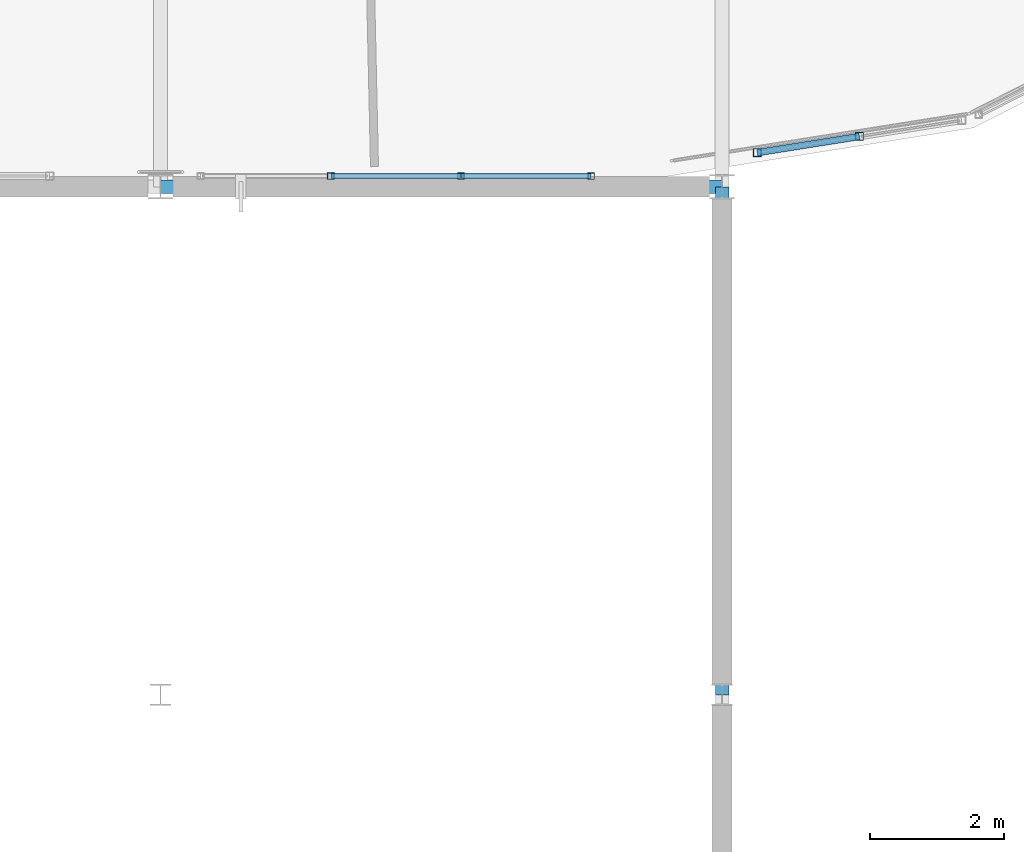
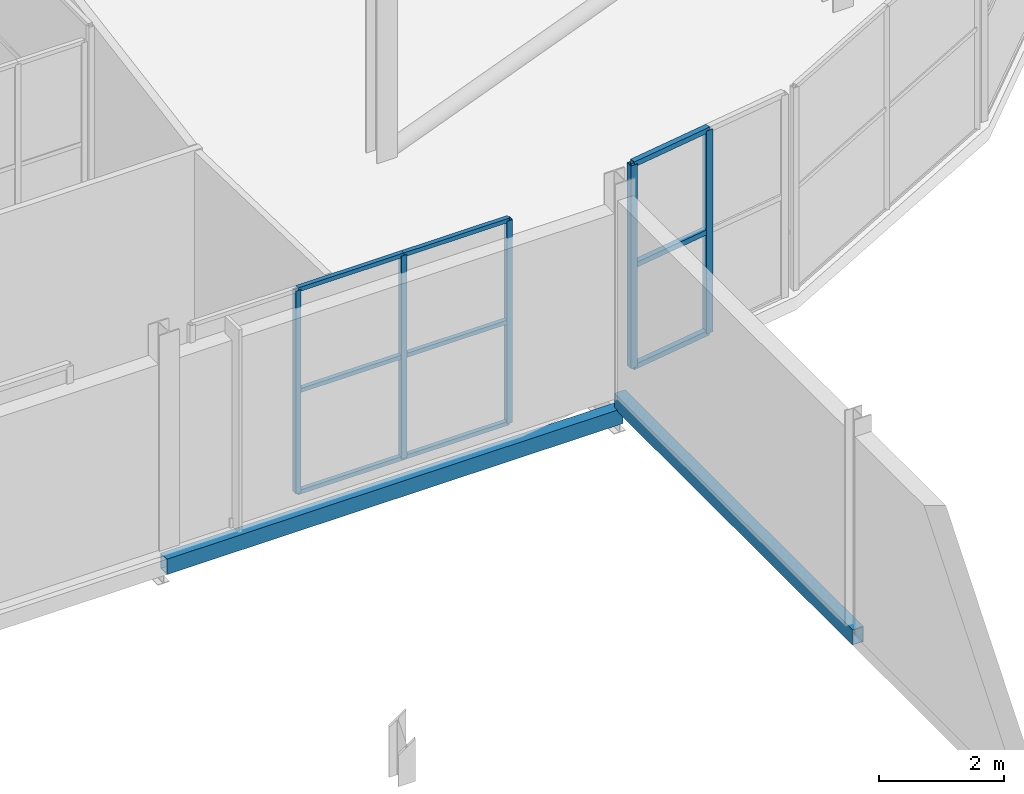
# One storey, part 139 of 217: 14 members, 2 beams, 2 elements without a shape of their own.
"""IFC4 building model written with IfcOpenShell, lengths in metres."""

from ifc_helpers import new_model, si_unit, direction, frame, origin, origin_2d, place, context, subcontext, project, spatial, hollow_rectangle, extrude, material, material_profile, profile_set, type_object, element, aggregate, save


model = new_model("IFC4")

# Units and contexts
model_context = context("Model", 3, precision=1e-05, world=origin(), true_north=direction((0.0, 1.0)))
body_context = subcontext(model_context, "Body", "Model", "MODEL_VIEW")
ifc_project = project(units=[si_unit("LENGTHUNIT", "METRE"), si_unit("AREAUNIT", "SQUARE_METRE"), si_unit("VOLUMEUNIT", "CUBIC_METRE"), si_unit("PLANEANGLEUNIT", "RADIAN"), si_unit("MASSUNIT", "GRAM", prefix="KILO")], contexts=[model_context])

# Site, building, storey
site_placement = place(None, origin())
site = spatial("IfcSite", under=ifc_project, at=site_placement, CompositionType="ELEMENT")
building_placement = place(site_placement, origin())
building = spatial("IfcBuilding", under=site, at=building_placement, Name="Zuvorla Pavilion Media Centre", CompositionType="ELEMENT")
storey_placement = place(building_placement, frame((0.0, 0.0, 9.60009765625)))
storey = spatial("IfcBuildingStorey", under=building, at=storey_placement, Name="L02", CompositionType="ELEMENT", Elevation=9.60009765625)

# Beams
ifc_material_1 = material(Name="Steel S355", Category="steel")
ifc_material_profile_1 = material_profile(ifc_material_1, hollow_rectangle(XDim=0.199951171875, YDim=0.300048828125, WallThickness=0.012451171875, at=origin_2d()), Name="RHS 300x200x12.5")
ifc_profile_set_1 = profile_set([ifc_material_profile_1], Name="Steel S355")
beam_type = type_object("IfcBeamType", Name="BM-SP-RHS300", PredefinedType="SPANDREL", material=ifc_profile_set_1)
beam_1_placement = place(storey_placement, frame((150.800048828125, 44.0, -0.418212890625), z_axis=(1.0, 0.0, 0.0), x_axis=(0.0, 1.0, 0.0)))
element("IfcBeam", 1, at=beam_1_placement, inside=storey, type_object=beam_type, Name="L02 spandrel SP01 834", PredefinedType="SPANDREL", context=body_context, shape_type="SweptSolid", body=[
    extrude(hollow_rectangle(XDim=0.199951171875, YDim=0.300048828125, WallThickness=0.012451171875, at=origin_2d()), origin(), (0.0, 0.0, 1.0), 8.39990234375),
])
beam_2_placement = place(storey_placement, frame((159.199951171875, 36.39990234375, -0.150146484375), z_axis=(0.0, 1.0, 0.0), x_axis=(-1.0, 0.0, 0.0)))
element("IfcBeam", 2, at=beam_2_placement, inside=storey, type_object=beam_type, Name="L02 spandrel SP01 1767", PredefinedType="SPANDREL", context=body_context, shape_type="SweptSolid", body=[
    extrude(hollow_rectangle(XDim=0.199951171875, YDim=0.300048828125, WallThickness=0.012451171875, at=origin_2d()), origin(), (0.0, 0.0, 1.0), 7.60009765625),
])

# Curtain wall, members
ifc_material_2 = material(Name="Unitised anodised aluminium and solar glass curtain wall", Category="aluminium")
curtain_wall_type_1 = type_object("IfcCurtainWallType", Name="CW-SYS-27", PredefinedType="USERDEFINED", material=ifc_material_2)
curtain_wall_1_placement = place(storey_placement, origin())
curtain_wall_1 = element("IfcCurtainWall", 3, at=curtain_wall_1_placement, inside=storey, type_object=curtain_wall_type_1, Name="L02 curtain wall CW27 48", ObjectType="CURTAIN WALL", PredefinedType="USERDEFINED")
ifc_material_3 = material(Name="Anodised aluminium 6063-T6", Category="aluminium")
ifc_material_profile_2 = material_profile(ifc_material_3, hollow_rectangle(XDim=0.10009765625, YDim=0.10009765625, WallThickness=0.00439453125, at=origin_2d()), Name="ALU MULL 100x100")
ifc_profile_set_2 = profile_set([ifc_material_profile_2], Name="Anodised aluminium 6063-T6")
member_type_1 = type_object("IfcMemberType", Name="CW-MULL-100", PredefinedType="MULLION", material=ifc_profile_set_2)
member_1_placement = place(storey_placement, frame((153.3466796875, 44.159912109375, 0.0), z_axis=(0.0, 0.0, 1.0), x_axis=(1.0, 0.0, 0.0)))
member_1 = element("IfcMember", 4, at=member_1_placement, type_object=member_type_1, Name="CW27 mullion 2", PredefinedType="MULLION", context=body_context, shape_type="SweptSolid", body=[
    extrude(hollow_rectangle(XDim=0.10009765625, YDim=0.10009765625, WallThickness=0.00439453125, at=origin_2d()), origin(), (0.0, 0.0, 1.0), 3.949951171875),
])
member_2_placement = place(storey_placement, frame((155.29345703125, 44.159912109375, 0.0), z_axis=(0.0, 0.0, 1.0), x_axis=(1.0, 0.0, 0.0)))
member_2 = element("IfcMember", 5, at=member_2_placement, type_object=member_type_1, Name="CW27 mullion 3", PredefinedType="MULLION", context=body_context, shape_type="SweptSolid", body=[
    extrude(hollow_rectangle(XDim=0.10009765625, YDim=0.10009765625, WallThickness=0.00439453125, at=origin_2d()), origin(), (0.0, 0.0, 1.0), 3.949951171875),
])
member_3_placement = place(storey_placement, frame((157.239990234375, 44.159912109375, 0.0), z_axis=(0.0, 0.0, 1.0), x_axis=(1.0, 0.0, 0.0)))
member_3 = element("IfcMember", 6, at=member_3_placement, type_object=member_type_1, Name="CW27 mullion 4", PredefinedType="MULLION", context=body_context, shape_type="SweptSolid", body=[
    extrude(hollow_rectangle(XDim=0.10009765625, YDim=0.10009765625, WallThickness=0.00439453125, at=origin_2d()), origin(), (0.0, 0.0, 1.0), 3.949951171875),
])

curtain_wall_type_2 = type_object("IfcCurtainWallType", Name="CW-SYS-01", PredefinedType="USERDEFINED", material=ifc_material_2)
curtain_wall_2_placement = place(storey_placement, origin())
curtain_wall_2 = element("IfcCurtainWall", 7, at=curtain_wall_2_placement, inside=storey, type_object=curtain_wall_type_2, Name="L02 curtain wall CW01 1", ObjectType="CURTAIN WALL", PredefinedType="USERDEFINED")
ifc_material_profile_3 = material_profile(ifc_material_3, hollow_rectangle(XDim=0.1201171875, YDim=0.1201171875, WallThickness=0.0048828125, at=origin_2d()), Name="ALU MULL 120x120")
ifc_profile_set_3 = profile_set([ifc_material_profile_3], Name="Anodised aluminium 6063-T6")
member_type_2 = type_object("IfcMemberType", Name="CW-MULL-120", PredefinedType="MULLION", material=ifc_profile_set_3)
member_4_placement = place(storey_placement, frame((159.726806640625, 44.51025390625, 0.0), z_axis=(0.0, 0.0, 1.0), x_axis=(1.0, 0.0, 0.0)))
member_4 = element("IfcMember", 8, at=member_4_placement, type_object=member_type_2, Name="CW01 mullion 1", PredefinedType="MULLION", context=body_context, shape_type="SweptSolid", body=[
    extrude(hollow_rectangle(XDim=0.1201171875, YDim=0.1201171875, WallThickness=0.0048828125, at=origin_2d()), origin(), (0.0, 0.0, 1.0), 3.949951171875),
])
member_5_placement = place(storey_placement, frame((161.254638671875, 44.752197265625, 0.0), z_axis=(0.0, 0.0, 1.0), x_axis=(1.0, 0.0, 0.0)))
member_5 = element("IfcMember", 9, at=member_5_placement, type_object=member_type_2, Name="CW01 mullion 2", PredefinedType="MULLION", context=body_context, shape_type="SweptSolid", body=[
    extrude(hollow_rectangle(XDim=0.1201171875, YDim=0.1201171875, WallThickness=0.0048828125, at=origin_2d()), origin(), (0.0, 0.0, 1.0), 3.949951171875),
])
ifc_material_profile_4 = material_profile(ifc_material_3, hollow_rectangle(XDim=0.10009765625, YDim=0.10009765625, WallThickness=0.00439453125, at=origin_2d()), Name="ALU TRAN 100x100")
ifc_profile_set_4 = profile_set([ifc_material_profile_4], Name="Anodised aluminium 6063-T6")
member_type_3 = type_object("IfcMemberType", Name="CW-TRAN-100", PredefinedType="USERDEFINED", material=ifc_profile_set_4)
member_6_placement = place(storey_placement, frame((159.726806640625, 44.51025390625, 0.0), z_axis=(0.987692481644, 0.156408317243, 0.0), x_axis=(-0.156408317243, 0.987692481644, 0.0)))
member_6 = element("IfcMember", 10, at=member_6_placement, type_object=member_type_3, Name="CW01 transom 1.1", ObjectType="TRANSOM", PredefinedType="USERDEFINED", context=body_context, shape_type="SweptSolid", body=[
    extrude(hollow_rectangle(XDim=0.10009765625, YDim=0.10009765625, WallThickness=0.00439453125, at=origin_2d()), origin(), (0.0, 0.0, 1.0), 1.546875),
])
member_7_placement = place(storey_placement, frame((159.726806640625, 44.51025390625, 1.974853515625), z_axis=(0.987692481644, 0.156408317243, 0.0), x_axis=(-0.156408317243, 0.987692481644, 0.0)))
member_7 = element("IfcMember", 11, at=member_7_placement, type_object=member_type_3, Name="CW01 transom 1.2", ObjectType="TRANSOM", PredefinedType="USERDEFINED", context=body_context, shape_type="SweptSolid", body=[
    extrude(hollow_rectangle(XDim=0.10009765625, YDim=0.10009765625, WallThickness=0.00439453125, at=origin_2d()), origin(), (0.0, 0.0, 1.0), 1.546875),
])
member_8_placement = place(storey_placement, frame((159.726806640625, 44.51025390625, 3.949951171875), z_axis=(0.987692481644, 0.156408317243, 0.0), x_axis=(-0.156408317243, 0.987692481644, 0.0)))
member_8 = element("IfcMember", 12, at=member_8_placement, type_object=member_type_3, Name="CW01 transom 1.3", ObjectType="TRANSOM", PredefinedType="USERDEFINED", context=body_context, shape_type="SweptSolid", body=[
    extrude(hollow_rectangle(XDim=0.10009765625, YDim=0.10009765625, WallThickness=0.00439453125, at=origin_2d()), origin(), (0.0, 0.0, 1.0), 1.546875),
])
aggregate(curtain_wall_2, [member_4, member_5, member_6, member_7, member_8])

# Member
ifc_material_profile_5 = material_profile(ifc_material_3, hollow_rectangle(XDim=0.080078125, YDim=0.080078125, WallThickness=0.00390625, at=origin_2d()), Name="ALU TRAN 80x80")
ifc_profile_set_5 = profile_set([ifc_material_profile_5], Name="Anodised aluminium 6063-T6")
member_type_4 = type_object("IfcMemberType", Name="CW-TRAN-80", PredefinedType="USERDEFINED", material=ifc_profile_set_5)
member_9_placement = place(storey_placement, frame((153.3466796875, 44.159912109375, 0.0), z_axis=(1.0, 0.0, 0.0), x_axis=(0.0, 1.0, 0.0)))
member_9 = element("IfcMember", 13, at=member_9_placement, type_object=member_type_4, Name="CW27 transom 2.1", ObjectType="TRANSOM", PredefinedType="USERDEFINED", context=body_context, shape_type="SweptSolid", body=[
    extrude(hollow_rectangle(XDim=0.080078125, YDim=0.080078125, WallThickness=0.00390625, at=origin_2d()), origin(), (0.0, 0.0, 1.0), 1.94677734375),
])

member_10_placement = place(storey_placement, frame((153.3466796875, 44.159912109375, 1.974853515625), z_axis=(1.0, 0.0, 0.0), x_axis=(0.0, 1.0, 0.0)))
member_10 = element("IfcMember", 14, at=member_10_placement, type_object=member_type_4, Name="CW27 transom 2.2", ObjectType="TRANSOM", PredefinedType="USERDEFINED", context=body_context, shape_type="SweptSolid", body=[
    extrude(hollow_rectangle(XDim=0.080078125, YDim=0.080078125, WallThickness=0.00390625, at=origin_2d()), origin(), (0.0, 0.0, 1.0), 1.94677734375),
])

member_11_placement = place(storey_placement, frame((153.3466796875, 44.159912109375, 3.949951171875), z_axis=(1.0, 0.0, 0.0), x_axis=(0.0, 1.0, 0.0)))
member_11 = element("IfcMember", 15, at=member_11_placement, type_object=member_type_4, Name="CW27 transom 2.3", ObjectType="TRANSOM", PredefinedType="USERDEFINED", context=body_context, shape_type="SweptSolid", body=[
    extrude(hollow_rectangle(XDim=0.080078125, YDim=0.080078125, WallThickness=0.00390625, at=origin_2d()), origin(), (0.0, 0.0, 1.0), 1.94677734375),
])

member_12_placement = place(storey_placement, frame((155.29345703125, 44.159912109375, 0.0), z_axis=(1.0, 0.0, 0.0), x_axis=(0.0, 1.0, 0.0)))
member_12 = element("IfcMember", 16, at=member_12_placement, type_object=member_type_4, Name="CW27 transom 3.1", ObjectType="TRANSOM", PredefinedType="USERDEFINED", context=body_context, shape_type="SweptSolid", body=[
    extrude(hollow_rectangle(XDim=0.080078125, YDim=0.080078125, WallThickness=0.00390625, at=origin_2d()), origin(), (0.0, 0.0, 1.0), 1.946533203125),
])

member_13_placement = place(storey_placement, frame((155.29345703125, 44.159912109375, 1.974853515625), z_axis=(1.0, 0.0, 0.0), x_axis=(0.0, 1.0, 0.0)))
member_13 = element("IfcMember", 17, at=member_13_placement, type_object=member_type_4, Name="CW27 transom 3.2", ObjectType="TRANSOM", PredefinedType="USERDEFINED", context=body_context, shape_type="SweptSolid", body=[
    extrude(hollow_rectangle(XDim=0.080078125, YDim=0.080078125, WallThickness=0.00390625, at=origin_2d()), origin(), (0.0, 0.0, 1.0), 1.946533203125),
])

member_14_placement = place(storey_placement, frame((155.29345703125, 44.159912109375, 3.949951171875), z_axis=(1.0, 0.0, 0.0), x_axis=(0.0, 1.0, 0.0)))
member_14 = element("IfcMember", 18, at=member_14_placement, type_object=member_type_4, Name="CW27 transom 3.3", ObjectType="TRANSOM", PredefinedType="USERDEFINED", context=body_context, shape_type="SweptSolid", body=[
    extrude(hollow_rectangle(XDim=0.080078125, YDim=0.080078125, WallThickness=0.00390625, at=origin_2d()), origin(), (0.0, 0.0, 1.0), 1.946533203125),
])

aggregate(curtain_wall_1, [member_1, member_2, member_3, member_9, member_10, member_11, member_12, member_13, member_14])

save(model, "model.ifc")
